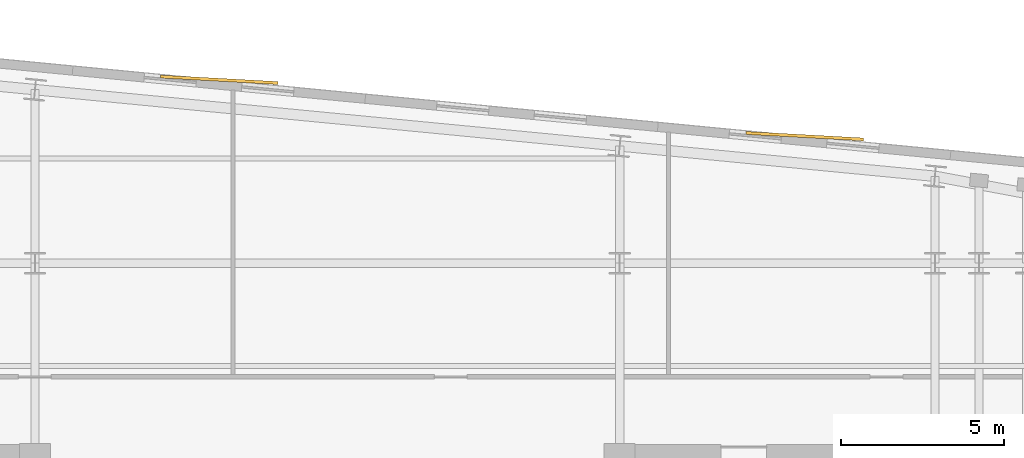
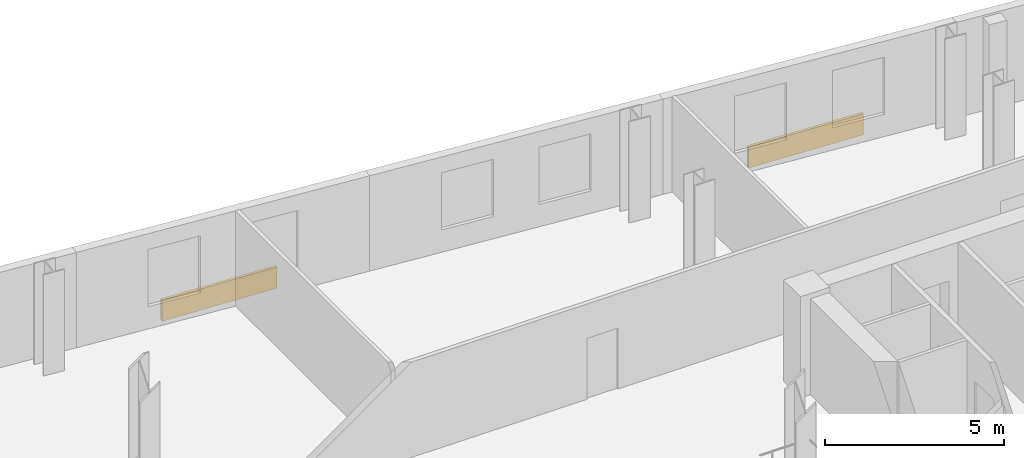
# One storey, part 10 of 10: 2 coverings.
"""IFC4 building model written with IfcOpenShell, lengths in metres."""

import ifcopenshell
import ifcopenshell.guid

model = None  # the IFC model being written
_history = None  # IfcOwnerHistory: only IFC2X3 demands one
_inside = {}  # id of a spatial element -> (the spatial element, [elements in it])
_under = {}  # id of a project, library or spatial element -> (it, [spatial elements below it])
_declared = {}  # id of a project -> (the project, [libraries it declares])
_typed = {}  # id of a type object -> (the type object, [elements of that type])
_made_of = {}  # id of a material, layer set ... -> (it, [elements and type objects made of it])


def new_model(schema):
    """Start an empty IFC model of exactly this schema.

    Asked for "IFC4X3", IfcOpenShell would pick the latest addendum, in which some entities
    have other attributes; the version numbers below select the first issue.
    IFC2X3 requires an IfcOwnerHistory on every rooted entity: one is made here for all.
    """
    global model, _history
    if schema == "IFC4X3":
        model = ifcopenshell.file(schema_version=(4, 3, 0, 0))
    else:
        model = ifcopenshell.file(schema=schema)
    _inside.clear()
    _under.clear()
    _declared.clear()
    _typed.clear()
    _made_of.clear()
    _history = None
    if model.schema == "IFC2X3":
        org = make("IfcOrganization", Name="unknown")
        user = make(
            "IfcPersonAndOrganization",
            ThePerson=make("IfcPerson", FamilyName="unknown"),
            TheOrganization=org,
        )
        app = make(
            "IfcApplication",
            ApplicationDeveloper=org,
            Version="unknown",
            ApplicationFullName="unknown",
            ApplicationIdentifier="unknown",
        )
        _history = make(
            "IfcOwnerHistory",
            OwningUser=user,
            OwningApplication=app,
            ChangeAction="ADDED",
            CreationDate=0,
        )
    return model


def make(cls, **values):
    """One entity of the class cls with the attributes given. An attribute that is None is left unset."""
    return model.create_entity(
        cls, **{name: value for name, value in values.items() if value is not None}
    )


def rooted(cls, **values):
    """An entity with a GlobalId (a new one), such as an element, a storey or a relation."""
    return make(cls, GlobalId=ifcopenshell.guid.new(), OwnerHistory=_history, **values)


def si_unit(unit_type, name, prefix=None):
    """IfcSIUnit, for example si_unit("LENGTHUNIT", "METRE", prefix="MILLI")."""
    return make("IfcSIUnit", UnitType=unit_type, Prefix=prefix, Name=name)


def assignment(units):
    """IfcUnitAssignment: the units of a project."""
    return None if units is None else make("IfcUnitAssignment", Units=units)


def point(xyz):
    """IfcCartesianPoint."""
    return None if xyz is None else make("IfcCartesianPoint", Coordinates=xyz)


def direction(xyz):
    """IfcDirection."""
    return None if xyz is None else make("IfcDirection", DirectionRatios=xyz)


def frame(location, z_axis=None, x_axis=None):
    """IfcAxis2Placement3D, a coordinate frame: its origin and axes. An axis left out is left unset."""
    return make(
        "IfcAxis2Placement3D",
        Location=point(location),
        Axis=direction(z_axis),
        RefDirection=direction(x_axis),
    )


def frame_2d(location, x_axis=None):
    """IfcAxis2Placement2D, a coordinate frame in the plane: its origin and x axis."""
    return make(
        "IfcAxis2Placement2D", Location=point(location), RefDirection=direction(x_axis)
    )


def origin():
    """The frame at (0, 0, 0) with its axes left unset."""
    return frame((0.0, 0.0, 0.0))


def origin_2d():
    """The frame at (0, 0) in the plane with its x axis left unset."""
    return frame_2d((0.0, 0.0))


def place(relative_to, where):
    """IfcLocalPlacement: puts the frame where relative to a parent placement (None: the world)."""
    return make(
        "IfcLocalPlacement", PlacementRelTo=relative_to, RelativePlacement=where
    )


def context(
    kind, dimensions, precision=None, world=None, true_north=None, identifier=None
):
    """IfcGeometricRepresentationContext, for example the 3D "Model" context."""
    return make(
        "IfcGeometricRepresentationContext",
        ContextIdentifier=identifier,
        ContextType=kind,
        CoordinateSpaceDimension=dimensions,
        Precision=precision,
        WorldCoordinateSystem=world,
        TrueNorth=true_north,
    )


def subcontext(parent, identifier, kind, view, scale=None):
    """IfcGeometricRepresentationSubContext, for example "Body" below "Model"."""
    return make(
        "IfcGeometricRepresentationSubContext",
        ContextIdentifier=identifier,
        ContextType=kind,
        ParentContext=parent,
        TargetScale=scale,
        TargetView=view,
    )


def project(units=None, contexts=None):
    """IfcProject with its units and contexts."""
    return rooted(
        "IfcProject",
        Name="project",
        RepresentationContexts=contexts,
        UnitsInContext=assignment(units),
    )


def spatial(cls, under=None, at=None, **own):
    """A site, building, storey or space (cls), placed at a placement, below another one or the project."""
    s = rooted(cls, ObjectPlacement=at, **own)
    if under is not None:
        _under.setdefault(under.id(), (under, []))[1].append(s)
    return s


def profile(cls, at=None, kind="AREA", **sizes):
    """A parametric profile (cls). Its sizes go by their IFC names, for example OverallWidth=200.0."""
    return make(cls, ProfileType=kind, Position=at, **sizes)


def rectangle(**sizes):
    """IfcRectangleProfileDef."""
    return profile("IfcRectangleProfileDef", **sizes)


def extrude(swept, where, along, depth):
    """IfcExtrudedAreaSolid: the profile swept, set in the frame where, extruded along a direction by depth."""
    return make(
        "IfcExtrudedAreaSolid",
        SweptArea=swept,
        Position=where,
        ExtrudedDirection=direction(along),
        Depth=depth,
    )


def shape(context_of_items, identifier, shape_type, items):
    """IfcShapeRepresentation: the items that make up one representation, for example the "Body"."""
    return make(
        "IfcShapeRepresentation",
        ContextOfItems=context_of_items,
        RepresentationIdentifier=identifier,
        RepresentationType=shape_type,
        Items=items,
    )


def material(Name=None, Category=None):
    """IfcMaterial."""
    return make("IfcMaterial", Name=Name, Category=Category)


def layer(
    of_material, thickness, ventilated=None, Name=None, Category=None, Priority=None
):
    """IfcMaterialLayer: one layer of a wall or slab, of a material (None: an air gap)."""
    return make(
        "IfcMaterialLayer",
        Material=of_material,
        LayerThickness=thickness,
        IsVentilated=ventilated,
        Name=Name,
        Category=Category,
        Priority=Priority,
    )


def layer_set(layers, Name=None):
    """IfcMaterialLayerSet."""
    return make("IfcMaterialLayerSet", MaterialLayers=layers, LayerSetName=Name)


def made_of(thing, what):
    """Note that an element or type object is made of a material, layer set ...; save() writes the relation."""
    if what is not None:
        _made_of.setdefault(what.id(), (what, []))[1].append(thing)
    return thing


def type_object(cls, material=None, **own):
    """A type object (cls), such as IfcWallType, which elements share."""
    return made_of(rooted(cls, **own), material)


def element(
    cls,
    number,
    at=None,
    inside=None,
    cuts=None,
    type_object=None,
    material=None,
    context=None,
    identifier="Body",
    shape_type=None,
    held_by="IfcProductDefinitionShape",
    body=None,
    shapes=None,
    **own,
):
    """One element of the class cls, such as IfcWall. Its Tag is "e" and its number.

    at: its placement. inside: the storey or other place that contains it. cuts: it is an
    opening in that element (IfcRelVoidsElement). A single representation is given by context,
    identifier, shape_type and body (its items); several are given by shapes. held_by: the class
    of the entity that holds the representations. save() writes the other relations.
    """
    e = rooted(cls, Tag="e%d" % number, ObjectPlacement=at, **own)
    if body is not None:
        shapes = [shape(context, identifier, shape_type, body)]
    if shapes is not None:
        e.Representation = make(held_by, Representations=shapes)
    if inside is not None:
        _inside.setdefault(inside.id(), (inside, []))[1].append(e)
    if cuts is not None:
        rooted(
            "IfcRelVoidsElement", RelatingBuildingElement=cuts, RelatedOpeningElement=e
        )
    if type_object is not None:
        _typed.setdefault(type_object.id(), (type_object, []))[1].append(e)
    return made_of(e, material)


def aggregate(whole, parts):
    """IfcRelAggregates: a whole, such as a stair, and the parts it consists of."""
    return rooted("IfcRelAggregates", RelatingObject=whole, RelatedObjects=parts)


def save(model, path):
    """Write the relations noted so far, then the file.

    IfcRelAggregates (storeys below a building ...), IfcRelContainedInSpatialStructure (elements
    in a storey), IfcRelDefinesByType, IfcRelAssociatesMaterial and IfcRelDeclares: one each for
    every whole, place, type object, material and project.
    """
    for whole, parts in _under.values():
        aggregate(whole, parts)
    for where, things in _inside.values():
        rooted(
            "IfcRelContainedInSpatialStructure",
            RelatedElements=things,
            RelatingStructure=where,
        )
    for kind, things in _typed.values():
        rooted("IfcRelDefinesByType", RelatedObjects=things, RelatingType=kind)
    for what, things in _made_of.values():
        rooted("IfcRelAssociatesMaterial", RelatedObjects=things, RelatingMaterial=what)
    for by, libraries in _declared.values():
        rooted("IfcRelDeclares", RelatingContext=by, RelatedDefinitions=libraries)
    model.write(path)


model = new_model("IFC4")

# Units and contexts
model_context = context("Model", 3, precision=1e-05, world=origin(), true_north=direction((0.0, 1.0)))
body_context = subcontext(model_context, "Body", "Model", "MODEL_VIEW")
ifc_project = project(units=[si_unit("LENGTHUNIT", "METRE"), si_unit("AREAUNIT", "SQUARE_METRE"), si_unit("VOLUMEUNIT", "CUBIC_METRE"), si_unit("PLANEANGLEUNIT", "RADIAN"), si_unit("MASSUNIT", "GRAM", prefix="KILO")], contexts=[model_context])

# Site, building, storey
site_placement = place(None, origin())
site = spatial("IfcSite", under=ifc_project, at=site_placement, CompositionType="ELEMENT")
building_placement = place(site_placement, origin())
building = spatial("IfcBuilding", under=site, at=building_placement, Name="Velakula Bourse", CompositionType="ELEMENT")
storey_placement = place(building_placement, frame((0.0, 0.0, 174.199951171875)))
storey = spatial("IfcBuildingStorey", under=building, at=storey_placement, Name="L47", CompositionType="ELEMENT", Elevation=174.199951171875)

# Coverings
ifc_material = material(Name="Buff kilned clay facing brick masonry", Category="masonry")
ifc_layer = layer(ifc_material, 0.074951171875, Name="Buff kilned clay facing brick masonry", Category="masonry")
ifc_layer_set = layer_set([ifc_layer], Name="Buff kilned clay facing brick masonry")
covering_type = type_object("IfcCoveringType", Name="COV-BRK-SPN-75", PredefinedType="CLADDING", material=ifc_layer_set)
for number, where, z_axis, x_axis, name in (
    (1, (-3.304931640625, 20.213623046875, 0.0), (0.0, 0.0, 1.0), (0.998489097451, -0.054950179912, 0.0), "L47 Folded Brick Facade Cladding Panel N-B2"),
    (2, (14.6123046875, 18.48828125, 0.0), (0.0, 0.0, 1.0), (0.998489097451, -0.054950179912, 0.0), "L47 Folded Brick Facade Cladding Panel N-B4"),
):
    element("IfcCovering", number, at=place(storey_placement, frame(where, z_axis=z_axis, x_axis=x_axis)), inside=storey, type_object=covering_type, Name=name, PredefinedType="CLADDING", context=body_context, shape_type="SweptSolid", body=[
        extrude(rectangle(XDim=3.60009765625, YDim=0.090087890625, at=origin_2d()), origin(), (0.0, 0.0, 1.0), 0.719970703125),
    ])

save(model, "model.ifc")
